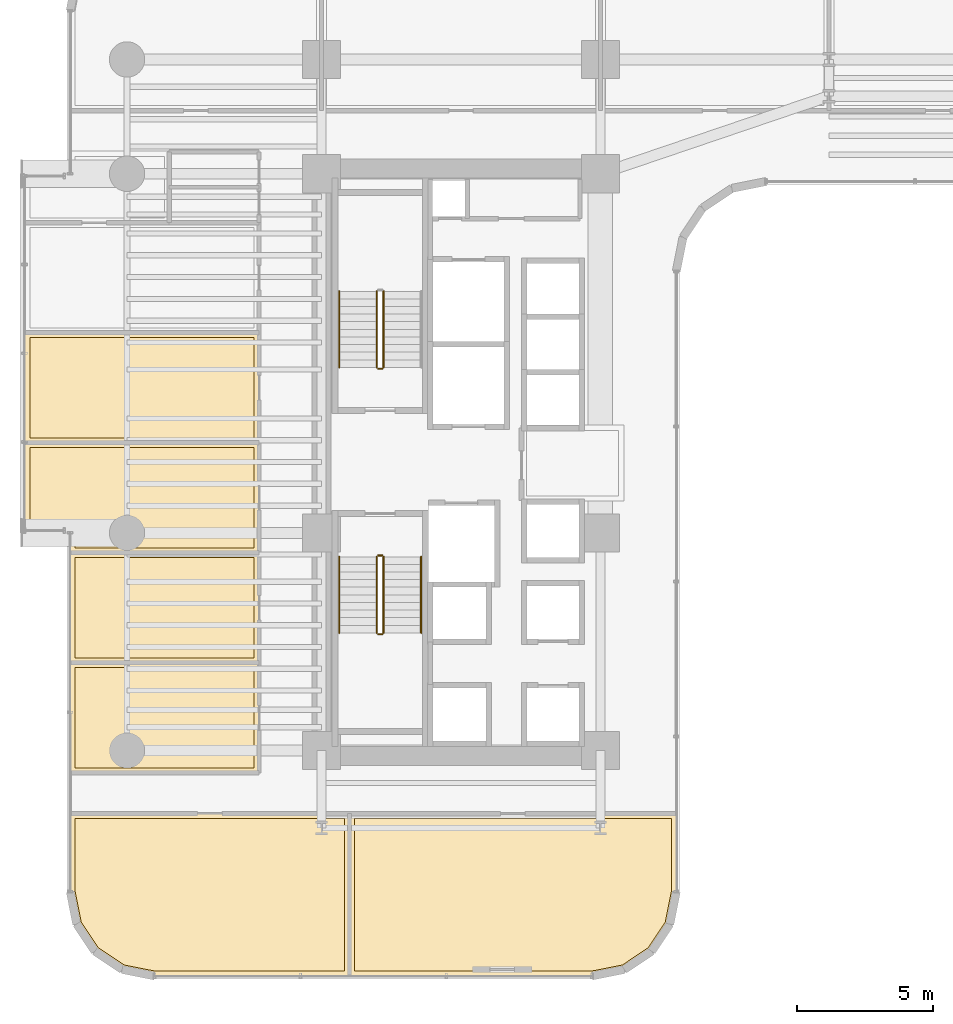
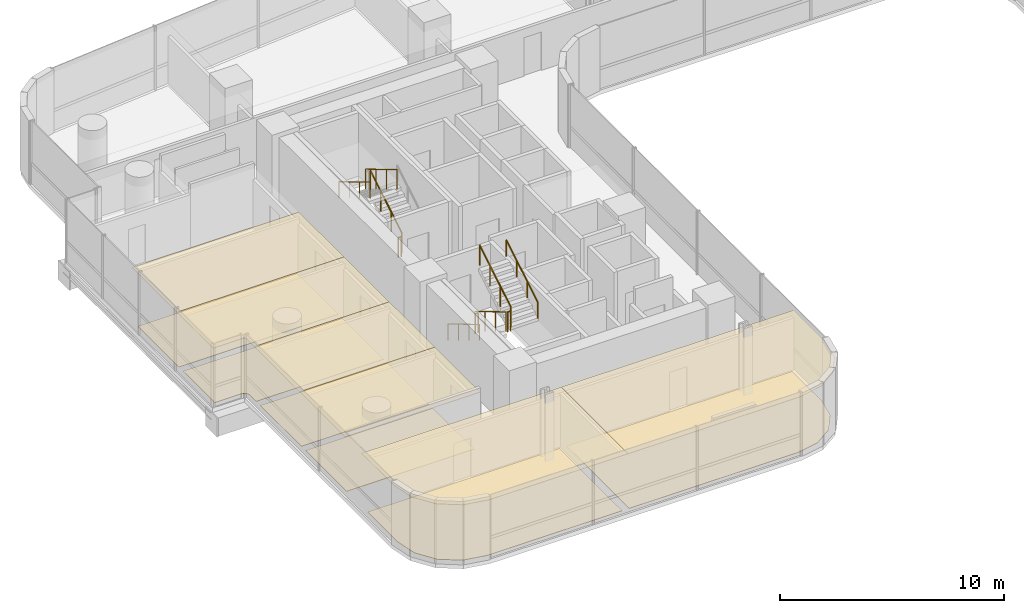
# One storey, part 35 of 38: 12 coverings, 10 railings.
"""IFC4 building model written with IfcOpenShell, lengths in metres."""

from ifc_helpers import new_model, si_unit, direction, frame, origin, origin_2d, place, context, subcontext, project, spatial, polyline, circle, outline, extrude, material, layer, layer_set, type_object, element, save


model = new_model("IFC4")

# Units and contexts
model_context = context("Model", 3, precision=1e-05, world=origin(), true_north=direction((0.0, 1.0)))
body_context = subcontext(model_context, "Body", "Model", "MODEL_VIEW")
ifc_project = project(units=[si_unit("LENGTHUNIT", "METRE"), si_unit("AREAUNIT", "SQUARE_METRE"), si_unit("VOLUMEUNIT", "CUBIC_METRE"), si_unit("PLANEANGLEUNIT", "RADIAN"), si_unit("MASSUNIT", "GRAM", prefix="KILO")], contexts=[model_context])

# Site, building, storey
site_placement = place(None, origin())
site = spatial("IfcSite", under=ifc_project, at=site_placement, CompositionType="ELEMENT")
building_placement = place(site_placement, origin())
building = spatial("IfcBuilding", under=site, at=building_placement, Name="Valdorenza Pilgrim Sanctuary Tower", CompositionType="ELEMENT")
storey_placement = place(building_placement, frame((0.0, 0.0, 37.10009765625)))
storey = spatial("IfcBuildingStorey", under=building, at=storey_placement, Name="L08", CompositionType="ELEMENT", Elevation=37.10009765625)

# Coverings
ifc_material_1 = material(Name="Micro-perforated acoustic mineral ceiling tile", Category="gypsum")
ifc_layer_1 = layer(ifc_material_1, 0.02490234375, Name="Micro-perforated acoustic mineral ceiling tile")
ifc_layer_set_1 = layer_set([ifc_layer_1], Name="Micro-perforated acoustic mineral ceiling tile")
covering_type_1 = type_object("IfcCoveringType", Name="COV-CLG-ACU", PredefinedType="CEILING", material=ifc_layer_set_1)
covering_1_placement = place(storey_placement, frame((0.0, 0.0, 3.159912109375)))
element("IfcCovering", 1, at=covering_1_placement, inside=storey, type_object=covering_type_1, Name="L08 Pilgrim Scholar Office L08-W1 Acoustic Ceiling", PredefinedType="CEILING", context=body_context, shape_type="SweptSolid", body=[
    extrude(outline(polyline([(-24.93505859375, -11.419921875), (-24.93505859375, -11.42138671875), (-24.935302734375, -11.4228515625), (-24.935546875, -11.42431640625), (-24.93603515625, -11.42578125), (-24.936767578125, -11.427001953125), (-24.9375, -11.42822265625), (-24.9384765625, -11.429443359375), (-24.939453125, -11.4306640625), (-24.9404296875, -11.431640625), (-24.941650390625, -11.4326171875), (-24.94287109375, -11.43310546875), (-24.9443359375, -11.433837890625), (-24.945556640625, -11.434326171875), (-24.947021484375, -11.434814453125), (-24.948486328125, -11.434814453125), (-24.949951171875, -11.43505859375), (-31.889892578125, -11.43505859375), (-31.8916015625, -11.434814453125), (-31.892822265625, -11.434814453125), (-31.894287109375, -11.434326171875), (-31.895751953125, -11.433837890625), (-31.897216796875, -11.43310546875), (-31.898193359375, -11.4326171875), (-31.8994140625, -11.431640625), (-31.900634765625, -11.4306640625), (-31.901611328125, -11.429443359375), (-31.902587890625, -11.42822265625), (-31.9033203125, -11.427001953125), (-31.90380859375, -11.42578125), (-31.904296875, -11.42431640625), (-31.90478515625, -11.4228515625), (-31.90478515625, -11.42138671875), (-31.905029296875, -11.419921875), (-31.905029296875, -7.3759765625), (-31.90478515625, -7.37451171875), (-31.90478515625, -7.373046875), (-31.904296875, -7.37158203125), (-31.90380859375, -7.370361328125), (-31.9033203125, -7.368896484375), (-31.902587890625, -7.36767578125), (-31.901611328125, -7.366455078125), (-31.900634765625, -7.365478515625), (-31.8994140625, -7.364501953125), (-31.898193359375, -7.363525390625), (-31.897216796875, -7.36279296875), (-31.895751953125, -7.362060546875), (-31.894287109375, -7.361572265625), (-31.892822265625, -7.361328125), (-31.8916015625, -7.361083984375), (-31.889892578125, -7.361083984375), (-24.949951171875, -7.361083984375), (-24.948486328125, -7.361083984375), (-24.947021484375, -7.361328125), (-24.945556640625, -7.361572265625), (-24.9443359375, -7.362060546875), (-24.94287109375, -7.36279296875), (-24.941650390625, -7.363525390625), (-24.9404296875, -7.364501953125), (-24.939453125, -7.365478515625), (-24.9384765625, -7.366455078125), (-24.9375, -7.36767578125), (-24.936767578125, -7.368896484375), (-24.93603515625, -7.370361328125), (-24.935546875, -7.37158203125), (-24.935302734375, -7.373046875), (-24.93505859375, -7.37451171875), (-24.93505859375, -7.3759765625), (-24.93505859375, -11.419921875)])), origin(), (0.0, 0.0, 1.0), 0.02490234375),
])
covering_2_placement = place(storey_placement, frame((0.0, 0.0, 3.159912109375)))
element("IfcCovering", 2, at=covering_2_placement, inside=storey, type_object=covering_type_1, Name="L08 Pilgrim Scholar Office L08-W2 Acoustic Ceiling", PredefinedType="CEILING", context=body_context, shape_type="SweptSolid", body=[
    extrude(outline(polyline([(-24.93505859375, -7.3740234375), (-24.93505859375, -7.37548828125), (-24.935302734375, -7.376953125), (-24.935546875, -7.37841796875), (-24.93603515625, -7.379638671875), (-24.936767578125, -7.381103515625), (-24.9375, -7.38232421875), (-24.9384765625, -7.383544921875), (-24.939453125, -7.384521484375), (-24.9404296875, -7.385498046875), (-24.941650390625, -7.386474609375), (-24.94287109375, -7.38720703125), (-24.9443359375, -7.387939453125), (-24.945556640625, -7.388427734375), (-24.947021484375, -7.388671875), (-24.948486328125, -7.388916015625), (-24.949951171875, -7.388916015625), (-31.889892578125, -7.388916015625), (-31.8916015625, -7.388916015625), (-31.892822265625, -7.388671875), (-31.894287109375, -7.388427734375), (-31.895751953125, -7.387939453125), (-31.897216796875, -7.38720703125), (-31.898193359375, -7.386474609375), (-31.8994140625, -7.385498046875), (-31.900634765625, -7.384521484375), (-31.901611328125, -7.383544921875), (-31.902587890625, -7.38232421875), (-31.9033203125, -7.381103515625), (-31.90380859375, -7.379638671875), (-31.904296875, -7.37841796875), (-31.90478515625, -7.376953125), (-31.90478515625, -7.37548828125), (-31.905029296875, -7.3740234375), (-31.905029296875, -3.33203125), (-31.90478515625, -3.33056640625), (-31.90478515625, -3.3291015625), (-31.904296875, -3.32763671875), (-31.90380859375, -3.326416015625), (-31.9033203125, -3.324951171875), (-31.902587890625, -3.32373046875), (-31.901611328125, -3.322509765625), (-31.900634765625, -3.3212890625), (-31.8994140625, -3.3203125), (-31.898193359375, -3.319580078125), (-31.897216796875, -3.31884765625), (-31.895751953125, -3.318115234375), (-31.894287109375, -3.317626953125), (-31.892822265625, -3.3173828125), (-31.8916015625, -3.317138671875), (-31.889892578125, -3.31689453125), (-24.949951171875, -3.31689453125), (-24.948486328125, -3.317138671875), (-24.947021484375, -3.3173828125), (-24.945556640625, -3.317626953125), (-24.9443359375, -3.318115234375), (-24.94287109375, -3.31884765625), (-24.941650390625, -3.319580078125), (-24.9404296875, -3.3203125), (-24.939453125, -3.3212890625), (-24.9384765625, -3.322509765625), (-24.9375, -3.32373046875), (-24.936767578125, -3.324951171875), (-24.93603515625, -3.326416015625), (-24.935546875, -3.32763671875), (-24.935302734375, -3.3291015625), (-24.93505859375, -3.33056640625), (-24.93505859375, -3.33203125), (-24.93505859375, -7.3740234375)])), origin(), (0.0, 0.0, 1.0), 0.02490234375),
])
covering_3_placement = place(storey_placement, frame((0.0, 0.0, 3.159912109375)))
element("IfcCovering", 3, at=covering_3_placement, inside=storey, type_object=covering_type_1, Name="L08 Pilgrim Scholar Office L08-W3 Acoustic Ceiling", PredefinedType="CEILING", context=body_context, shape_type="SweptSolid", body=[
    extrude(outline(polyline([(-24.93505859375, -3.330078125), (-24.93505859375, -3.33154296875), (-24.935302734375, -3.3330078125), (-24.935546875, -3.33447265625), (-24.93603515625, -3.335693359375), (-24.936767578125, -3.337158203125), (-24.9375, -3.33837890625), (-24.9384765625, -3.339599609375), (-24.939453125, -3.340576171875), (-24.9404296875, -3.341552734375), (-24.941650390625, -3.342529296875), (-24.94287109375, -3.34326171875), (-24.9443359375, -3.343994140625), (-24.945556640625, -3.344482421875), (-24.947021484375, -3.3447265625), (-24.948486328125, -3.344970703125), (-24.949951171875, -3.344970703125), (-31.889892578125, -3.344970703125), (-31.8916015625, -3.344970703125), (-31.892822265625, -3.3447265625), (-31.894287109375, -3.344482421875), (-31.895751953125, -3.343994140625), (-31.897216796875, -3.34326171875), (-31.898193359375, -3.342529296875), (-31.8994140625, -3.341552734375), (-31.900634765625, -3.340576171875), (-31.901611328125, -3.339599609375), (-31.902587890625, -3.33837890625), (-31.9033203125, -3.337158203125), (-31.90380859375, -3.335693359375), (-31.904296875, -3.33447265625), (-31.90478515625, -3.3330078125), (-31.90478515625, -3.33154296875), (-31.905029296875, -3.330078125), (-31.905029296875, -2.600341796875), (-31.905517578125, -2.5908203125), (-31.90673828125, -2.58154296875), (-31.9091796875, -2.572509765625), (-31.912109375, -2.563720703125), (-31.916259765625, -2.55517578125), (-31.9208984375, -2.547119140625), (-31.926513671875, -2.539794921875), (-31.932861328125, -2.53271484375), (-31.939697265625, -2.526611328125), (-31.947265625, -2.52099609375), (-31.955078125, -2.51611328125), (-31.963623046875, -2.51220703125), (-31.972412109375, -2.509033203125), (-31.9814453125, -2.5068359375), (-31.99072265625, -2.505615234375), (-32.00048828125, -2.5048828125), (-33.5400390625, -2.5048828125), (-33.54150390625, -2.5048828125), (-33.54296875, -2.504638671875), (-33.54443359375, -2.50439453125), (-33.545654296875, -2.50390625), (-33.547119140625, -2.503173828125), (-33.54833984375, -2.50244140625), (-33.549560546875, -2.501708984375), (-33.550537109375, -2.50048828125), (-33.551513671875, -2.49951171875), (-33.552490234375, -2.498291015625), (-33.55322265625, -2.4970703125), (-33.553955078125, -2.49560546875), (-33.554443359375, -2.494384765625), (-33.5546875, -2.492919921875), (-33.554931640625, -2.491455078125), (-33.554931640625, -2.489990234375), (-33.554931640625, 0.7119140625), (-33.554931640625, 0.71337890625), (-33.5546875, 0.71484375), (-33.554443359375, 0.71630859375), (-33.553955078125, 0.7177734375), (-33.55322265625, 0.718994140625), (-33.552490234375, 0.72021484375), (-33.551513671875, 0.721435546875), (-33.550537109375, 0.72265625), (-33.549560546875, 0.7236328125), (-33.54833984375, 0.724609375), (-33.547119140625, 0.72509765625), (-33.545654296875, 0.725830078125), (-33.54443359375, 0.726318359375), (-33.54296875, 0.726806640625), (-33.54150390625, 0.726806640625), (-33.5400390625, 0.72705078125), (-24.949951171875, 0.72705078125), (-24.948486328125, 0.726806640625), (-24.947021484375, 0.726806640625), (-24.945556640625, 0.726318359375), (-24.9443359375, 0.725830078125), (-24.94287109375, 0.72509765625), (-24.941650390625, 0.724609375), (-24.9404296875, 0.7236328125), (-24.939453125, 0.72265625), (-24.9384765625, 0.721435546875), (-24.9375, 0.72021484375), (-24.936767578125, 0.718994140625), (-24.93603515625, 0.7177734375), (-24.935546875, 0.71630859375), (-24.935302734375, 0.71484375), (-24.93505859375, 0.71337890625), (-24.93505859375, 0.7119140625), (-24.93505859375, -3.330078125)])), origin(), (0.0, 0.0, 1.0), 0.02490234375),
])
covering_4_placement = place(storey_placement, frame((0.0, 0.0, 3.159912109375)))
element("IfcCovering", 4, at=covering_4_placement, inside=storey, type_object=covering_type_1, Name="L08 Pilgrim Scholar Office L08-W4 Acoustic Ceiling", PredefinedType="CEILING", context=body_context, shape_type="SweptSolid", body=[
    extrude(outline(polyline([(-24.93505859375, 0.714111328125), (-24.93505859375, 0.71240234375), (-24.935302734375, 0.711181640625), (-24.935546875, 0.709716796875), (-24.93603515625, 0.708251953125), (-24.936767578125, 0.706787109375), (-24.9375, 0.705810546875), (-24.9384765625, 0.70458984375), (-24.939453125, 0.703369140625), (-24.9404296875, 0.702392578125), (-24.941650390625, 0.701416015625), (-24.94287109375, 0.70068359375), (-24.9443359375, 0.7001953125), (-24.945556640625, 0.69970703125), (-24.947021484375, 0.69921875), (-24.948486328125, 0.69921875), (-24.949951171875, 0.698974609375), (-33.5400390625, 0.698974609375), (-33.54150390625, 0.69921875), (-33.54296875, 0.69921875), (-33.54443359375, 0.69970703125), (-33.545654296875, 0.7001953125), (-33.547119140625, 0.70068359375), (-33.54833984375, 0.701416015625), (-33.549560546875, 0.702392578125), (-33.550537109375, 0.703369140625), (-33.551513671875, 0.70458984375), (-33.552490234375, 0.705810546875), (-33.55322265625, 0.706787109375), (-33.553955078125, 0.708251953125), (-33.554443359375, 0.709716796875), (-33.5546875, 0.711181640625), (-33.554931640625, 0.71240234375), (-33.554931640625, 0.714111328125), (-33.554931640625, 4.756103515625), (-33.554931640625, 4.757568359375), (-33.5546875, 4.7587890625), (-33.554443359375, 4.760498046875), (-33.553955078125, 4.76171875), (-33.55322265625, 4.76318359375), (-33.552490234375, 4.764404296875), (-33.551513671875, 4.765380859375), (-33.550537109375, 4.7666015625), (-33.549560546875, 4.767578125), (-33.54833984375, 4.7685546875), (-33.547119140625, 4.769287109375), (-33.545654296875, 4.77001953125), (-33.54443359375, 4.7705078125), (-33.54296875, 4.770751953125), (-33.54150390625, 4.77099609375), (-33.5400390625, 4.77099609375), (-24.949951171875, 4.77099609375), (-24.948486328125, 4.77099609375), (-24.947021484375, 4.770751953125), (-24.945556640625, 4.7705078125), (-24.9443359375, 4.77001953125), (-24.94287109375, 4.769287109375), (-24.941650390625, 4.7685546875), (-24.9404296875, 4.767578125), (-24.939453125, 4.7666015625), (-24.9384765625, 4.765380859375), (-24.9375, 4.764404296875), (-24.936767578125, 4.76318359375), (-24.93603515625, 4.76171875), (-24.935546875, 4.760498046875), (-24.935302734375, 4.7587890625), (-24.93505859375, 4.757568359375), (-24.93505859375, 4.756103515625), (-24.93505859375, 0.714111328125)])), origin(), (0.0, 0.0, 1.0), 0.02490234375),
])
covering_5_placement = place(storey_placement, frame((0.0, 0.0, 3.159912109375)))
element("IfcCovering", 5, at=covering_5_placement, inside=storey, type_object=covering_type_1, Name="L08 Pilgrim Scholar Office L08-S1 Acoustic Ceiling", PredefinedType="CEILING", context=body_context, shape_type="SweptSolid", body=[
    extrude(outline(polyline([(-21.60498046875, -18.889892578125), (-21.60498046875, -18.8916015625), (-21.605224609375, -18.892822265625), (-21.605712890625, -18.894287109375), (-21.606201171875, -18.895751953125), (-21.606689453125, -18.897216796875), (-21.607421875, -18.898193359375), (-21.6083984375, -18.8994140625), (-21.609375, -18.900634765625), (-21.610595703125, -18.901611328125), (-21.61181640625, -18.902587890625), (-21.61279296875, -18.9033203125), (-21.6142578125, -18.90380859375), (-21.615478515625, -18.904296875), (-21.6171875, -18.90478515625), (-21.618408203125, -18.90478515625), (-21.6201171875, -18.905029296875), (-28.789306640625, -18.905029296875), (-28.79052734375, -18.90478515625), (-28.7919921875, -18.90478515625), (-29.984619140625, -18.66748046875), (-29.986083984375, -18.6669921875), (-29.9873046875, -18.66650390625), (-29.98876953125, -18.666015625), (-29.989990234375, -18.665283203125), (-30.99169921875, -17.995849609375), (-30.992919921875, -17.9951171875), (-30.993896484375, -17.993896484375), (-30.9951171875, -17.992919921875), (-30.995849609375, -17.99169921875), (-31.665283203125, -16.989990234375), (-31.666015625, -16.98876953125), (-31.66650390625, -16.9873046875), (-31.6669921875, -16.986083984375), (-31.66748046875, -16.984619140625), (-31.90478515625, -15.7919921875), (-31.90478515625, -15.79052734375), (-31.905029296875, -15.789306640625), (-31.905029296875, -12.919921875), (-31.90478515625, -12.91845703125), (-31.90478515625, -12.9169921875), (-31.904296875, -12.91552734375), (-31.90380859375, -12.914306640625), (-31.9033203125, -12.912841796875), (-31.902587890625, -12.91162109375), (-31.901611328125, -12.910400390625), (-31.900634765625, -12.909423828125), (-31.8994140625, -12.908447265625), (-31.898193359375, -12.907470703125), (-31.897216796875, -12.90673828125), (-31.895751953125, -12.906005859375), (-31.894287109375, -12.905517578125), (-31.892822265625, -12.9052734375), (-31.8916015625, -12.905029296875), (-31.889892578125, -12.905029296875), (-21.6201171875, -12.905029296875), (-21.618408203125, -12.905029296875), (-21.6171875, -12.9052734375), (-21.615478515625, -12.905517578125), (-21.6142578125, -12.906005859375), (-21.61279296875, -12.90673828125), (-21.61181640625, -12.907470703125), (-21.610595703125, -12.908447265625), (-21.609375, -12.909423828125), (-21.6083984375, -12.910400390625), (-21.607421875, -12.91162109375), (-21.606689453125, -12.912841796875), (-21.606201171875, -12.914306640625), (-21.605712890625, -12.91552734375), (-21.605224609375, -12.9169921875), (-21.60498046875, -12.91845703125), (-21.60498046875, -12.919921875), (-21.60498046875, -18.889892578125)])), origin(), (0.0, 0.0, 1.0), 0.02490234375),
])
covering_6_placement = place(storey_placement, frame((0.0, 0.0, 3.159912109375)))
element("IfcCovering", 6, at=covering_6_placement, inside=storey, type_object=covering_type_1, Name="L08 Pilgrim Scholar Office L08-S2 Acoustic Ceiling", PredefinedType="CEILING", context=body_context, shape_type="SweptSolid", body=[
    extrude(outline(polyline([(-9.610107421875, -12.905029296875), (-9.6083984375, -12.905029296875), (-9.607177734375, -12.9052734375), (-9.605712890625, -12.905517578125), (-9.604248046875, -12.906005859375), (-9.602783203125, -12.90673828125), (-9.601806640625, -12.907470703125), (-9.6005859375, -12.908447265625), (-9.599365234375, -12.909423828125), (-9.598388671875, -12.910400390625), (-9.597412109375, -12.91162109375), (-9.5966796875, -12.912841796875), (-9.59619140625, -12.914306640625), (-9.595703125, -12.91552734375), (-9.59521484375, -12.9169921875), (-9.59521484375, -12.91845703125), (-9.594970703125, -12.919921875), (-9.594970703125, -15.789306640625), (-9.59521484375, -15.79052734375), (-9.59521484375, -15.7919921875), (-9.83251953125, -16.984619140625), (-9.8330078125, -16.986083984375), (-9.83349609375, -16.9873046875), (-9.833984375, -16.98876953125), (-9.834716796875, -16.989990234375), (-10.504150390625, -17.99169921875), (-10.5048828125, -17.992919921875), (-10.506103515625, -17.993896484375), (-10.507080078125, -17.9951171875), (-10.50830078125, -17.995849609375), (-11.510009765625, -18.665283203125), (-11.51123046875, -18.666015625), (-11.5126953125, -18.66650390625), (-11.513916015625, -18.6669921875), (-11.515380859375, -18.66748046875), (-12.7080078125, -18.90478515625), (-12.70947265625, -18.90478515625), (-12.710693359375, -18.905029296875), (-21.617919921875, -18.905029296875), (-21.619384765625, -18.90478515625), (-21.620849609375, -18.90478515625), (-21.622314453125, -18.904296875), (-21.623779296875, -18.90380859375), (-21.625, -18.9033203125), (-21.626220703125, -18.902587890625), (-21.62744140625, -18.901611328125), (-21.628662109375, -18.900634765625), (-21.629638671875, -18.8994140625), (-21.630615234375, -18.898193359375), (-21.631103515625, -18.897216796875), (-21.6318359375, -18.895751953125), (-21.63232421875, -18.894287109375), (-21.6328125, -18.892822265625), (-21.6328125, -18.8916015625), (-21.633056640625, -18.889892578125), (-21.633056640625, -12.919921875), (-21.6328125, -12.91845703125), (-21.6328125, -12.9169921875), (-21.63232421875, -12.91552734375), (-21.6318359375, -12.914306640625), (-21.631103515625, -12.912841796875), (-21.630615234375, -12.91162109375), (-21.629638671875, -12.910400390625), (-21.628662109375, -12.909423828125), (-21.62744140625, -12.908447265625), (-21.626220703125, -12.907470703125), (-21.625, -12.90673828125), (-21.623779296875, -12.906005859375), (-21.622314453125, -12.905517578125), (-21.620849609375, -12.9052734375), (-21.619384765625, -12.905029296875), (-21.617919921875, -12.905029296875), (-9.610107421875, -12.905029296875)])), origin(), (0.0, 0.0, 1.0), 0.02490234375),
])
ifc_material_2 = material(Name="Honed travertine stone flooring", Category="masonry")
ifc_layer_2 = layer(ifc_material_2, 0.030029296875, Name="Honed travertine stone flooring")
ifc_layer_set_2 = layer_set([ifc_layer_2], Name="Honed travertine stone flooring")
covering_type_2 = type_object("IfcCoveringType", Name="COV-FLR-TRV", PredefinedType="FLOORING", material=ifc_layer_set_2)
covering_7_placement = place(storey_placement, origin())
element("IfcCovering", 7, at=covering_7_placement, inside=storey, type_object=covering_type_2, Name="L08 Pilgrim Scholar Office L08-W1 Flooring", PredefinedType="FLOORING", context=body_context, shape_type="SweptSolid", body=[
    extrude(outline(polyline([(-25.1298828125, -11.239990234375), (-31.7099609375, -11.239990234375), (-31.7099609375, -7.555908203125), (-25.1298828125, -7.555908203125), (-25.1298828125, -11.239990234375)])), origin(), (0.0, 0.0, 1.0), 0.02490234375),
])
covering_8_placement = place(storey_placement, origin())
element("IfcCovering", 8, at=covering_8_placement, inside=storey, type_object=covering_type_2, Name="L08 Pilgrim Scholar Office L08-W2 Flooring", PredefinedType="FLOORING", context=body_context, shape_type="SweptSolid", body=[
    extrude(outline(polyline([(-25.1298828125, -7.194091796875), (-31.7099609375, -7.194091796875), (-31.7099609375, -3.511962890625), (-25.1298828125, -3.511962890625), (-25.1298828125, -7.194091796875)])), origin(), (0.0, 0.0, 1.0), 0.02490234375),
])
covering_9_placement = place(storey_placement, origin())
element("IfcCovering", 9, at=covering_9_placement, inside=storey, type_object=covering_type_2, Name="L08 Pilgrim Scholar Office L08-W3 Flooring", PredefinedType="FLOORING", context=body_context, shape_type="SweptSolid", body=[
    extrude(outline(polyline([(-25.1298828125, -3.14990234375), (-31.7099609375, -3.14990234375), (-31.7099609375, -2.60009765625), (-31.710205078125, -2.59130859375), (-31.710693359375, -2.580322265625), (-31.71240234375, -2.562744140625), (-31.714111328125, -2.552001953125), (-31.717529296875, -2.534912109375), (-31.72021484375, -2.5244140625), (-31.725341796875, -2.50732421875), (-31.72900390625, -2.497314453125), (-31.735595703125, -2.48095703125), (-31.740234375, -2.47119140625), (-31.74853515625, -2.45556640625), (-31.754150390625, -2.4462890625), (-31.763916015625, -2.431640625), (-31.7705078125, -2.423095703125), (-31.781494140625, -2.4091796875), (-31.788818359375, -2.4013671875), (-31.80126953125, -2.388916015625), (-31.809326171875, -2.381591796875), (-31.822998046875, -2.370361328125), (-31.831787109375, -2.364013671875), (-31.84619140625, -2.35400390625), (-31.855712890625, -2.3486328125), (-31.87109375, -2.34033203125), (-31.880859375, -2.335693359375), (-31.897216796875, -2.328857421875), (-31.907470703125, -2.3251953125), (-31.92431640625, -2.320068359375), (-31.934814453125, -2.3173828125), (-31.9521484375, -2.314208984375), (-31.962890625, -2.3125), (-31.98046875, -2.310791015625), (-31.9912109375, -2.310302734375), (-32.0, -2.31005859375), (-33.360107421875, -2.31005859375), (-33.360107421875, 0.531982421875), (-25.1298828125, 0.531982421875), (-25.1298828125, -3.14990234375)])), origin(), (0.0, 0.0, 1.0), 0.02490234375),
])
covering_10_placement = place(storey_placement, origin())
element("IfcCovering", 10, at=covering_10_placement, inside=storey, type_object=covering_type_2, Name="L08 Pilgrim Scholar Office L08-W4 Flooring", PredefinedType="FLOORING", context=body_context, shape_type="SweptSolid", body=[
    extrude(outline(polyline([(-25.1298828125, 0.89404296875), (-33.360107421875, 0.89404296875), (-33.360107421875, 4.575927734375), (-25.1298828125, 4.575927734375), (-25.1298828125, 0.89404296875)])), origin(), (0.0, 0.0, 1.0), 0.02490234375),
])
covering_11_placement = place(storey_placement, origin())
element("IfcCovering", 11, at=covering_11_placement, inside=storey, type_object=covering_type_2, Name="L08 Pilgrim Scholar Office L08-S1 Flooring", PredefinedType="FLOORING", context=body_context, shape_type="SweptSolid", body=[
    extrude(outline(polyline([(-21.800048828125, -18.7099609375), (-28.771484375, -18.7099609375), (-29.911376953125, -18.483154296875), (-30.853515625, -17.853515625), (-31.483154296875, -16.911376953125), (-31.7099609375, -15.771484375), (-31.7099609375, -13.10009765625), (-21.800048828125, -13.10009765625), (-21.800048828125, -18.7099609375)])), origin(), (0.0, 0.0, 1.0), 0.02490234375),
])
covering_12_placement = place(storey_placement, origin())
element("IfcCovering", 12, at=covering_12_placement, inside=storey, type_object=covering_type_2, Name="L08 Pilgrim Scholar Office L08-S2 Flooring", PredefinedType="FLOORING", context=body_context, shape_type="SweptSolid", body=[
    extrude(outline(polyline([(-9.7900390625, -13.10009765625), (-9.7900390625, -15.771484375), (-10.016845703125, -16.911376953125), (-10.646484375, -17.853515625), (-11.588623046875, -18.483154296875), (-12.728515625, -18.7099609375), (-21.43798828125, -18.7099609375), (-21.43798828125, -13.10009765625), (-9.7900390625, -13.10009765625)])), origin(), (0.0, 0.0, 1.0), 0.02490234375),
])

# Railings
ifc_material_3 = material(Name="Stainless steel Grade 316", Category="steel")
railing_type_1 = type_object("IfcRailingType", Name="RLG-GRD-1120", PredefinedType="GUARDRAIL", material=ifc_material_3)
railing_1_placement = place(storey_placement, frame((-20.3701171875, 3.47998046875, 0.16796875)))
element("IfcRailing", 13, at=railing_1_placement, inside=storey, type_object=railing_type_1, Name="L08 ST-A1 stair guard 1", PredefinedType="GUARDRAIL", context=body_context, shape_type="SweptSolid", body=[
    extrude(circle(Radius=0.02392578125, at=origin_2d()), frame((0.0, 0.0, 1.076171875), z_axis=(0.0, 0.857242210791, 0.514913383045), x_axis=(-1.0, 0.0, 0.0)), (0.0, 0.0, 1.0), 3.266357421875),
    extrude(circle(Radius=0.02099609375, at=origin_2d()), origin(), (0.0, 0.0, 1.0), 1.052001953125),
    extrude(circle(Radius=0.02099609375, at=origin_2d()), frame((0.0, 0.933349609375, 0.560546875)), (0.0, 0.0, 1.0), 1.052001953125),
    extrude(circle(Radius=0.02099609375, at=origin_2d()), frame((0.0, 1.86669921875, 1.121337890625)), (0.0, 0.0, 1.0), 1.052001953125),
    extrude(circle(Radius=0.02099609375, at=origin_2d()), frame((0.0, 2.800048828125, 1.681884765625)), (0.0, 0.0, 1.0), 1.052001953125),
])
railing_2_placement = place(storey_placement, frame((-20.6201171875, 6.280029296875, 2.01806640625)))
element("IfcRailing", 14, at=railing_2_placement, inside=storey, type_object=railing_type_1, Name="L08 ST-A1 stair guard 3", PredefinedType="GUARDRAIL", context=body_context, shape_type="SweptSolid", body=[
    extrude(circle(Radius=0.02392578125, at=origin_2d()), frame((0.0, 0.0, 1.076171875), z_axis=(0.0, -0.857242210791, 0.514913383045), x_axis=(1.0, 0.0, 0.0)), (0.0, 0.0, 1.0), 3.266357421875),
    extrude(circle(Radius=0.02099609375, at=origin_2d()), origin(), (0.0, 0.0, 1.0), 1.052001953125),
    extrude(circle(Radius=0.02099609375, at=origin_2d()), frame((0.0, -0.933349609375, 0.560546875)), (0.0, 0.0, 1.0), 1.052001953125),
    extrude(circle(Radius=0.02099609375, at=origin_2d()), frame((0.0, -1.86669921875, 1.121337890625)), (0.0, 0.0, 1.0), 1.052001953125),
    extrude(circle(Radius=0.02099609375, at=origin_2d()), frame((0.0, -2.800048828125, 1.681884765625)), (0.0, 0.0, 1.0), 1.052001953125),
])
railing_3_placement = place(storey_placement, frame((-20.419921875, 3.429931640625, 0.0)))
element("IfcRailing", 15, at=railing_3_placement, inside=storey, type_object=railing_type_1, Name="L08 ST-A1 stair guard 4", PredefinedType="GUARDRAIL", context=body_context, shape_type="SweptSolid", body=[
    extrude(circle(Radius=0.02392578125, at=origin_2d()), frame((0.0, 0.0, 1.076171875), z_axis=(-1.0, 0.0, 0.0), x_axis=(0.0, -1.0, 0.0)), (0.0, 0.0, 1.0), 0.150146484375),
    extrude(circle(Radius=0.02099609375, at=origin_2d()), origin(), (0.0, 0.0, 1.0), 1.052001953125),
    extrude(circle(Radius=0.02099609375, at=origin_2d()), frame((-0.150146484375, 0.0, 0.0)), (0.0, 0.0, 1.0), 1.052001953125),
])
railing_4_placement = place(storey_placement, frame((-20.6201171875, -3.47998046875, 0.16796875)))
element("IfcRailing", 16, at=railing_4_placement, inside=storey, type_object=railing_type_1, Name="L08 ST-A2 stair guard 1", PredefinedType="GUARDRAIL", context=body_context, shape_type="SweptSolid", body=[
    extrude(circle(Radius=0.02392578125, at=origin_2d()), frame((0.0, 0.0, 1.076171875), z_axis=(0.0, -0.857242210791, 0.514913383045), x_axis=(1.0, 0.0, 0.0)), (0.0, 0.0, 1.0), 3.266357421875),
    extrude(circle(Radius=0.02099609375, at=origin_2d()), origin(), (0.0, 0.0, 1.0), 1.052001953125),
    extrude(circle(Radius=0.02099609375, at=origin_2d()), frame((0.0, -0.933349609375, 0.560546875)), (0.0, 0.0, 1.0), 1.052001953125),
    extrude(circle(Radius=0.02099609375, at=origin_2d()), frame((0.0, -1.86669921875, 1.121337890625)), (0.0, 0.0, 1.0), 1.052001953125),
    extrude(circle(Radius=0.02099609375, at=origin_2d()), frame((0.0, -2.800048828125, 1.681884765625)), (0.0, 0.0, 1.0), 1.052001953125),
])
railing_5_placement = place(storey_placement, frame((-20.570068359375, -6.330078125, 1.849853515625)))
element("IfcRailing", 17, at=railing_5_placement, inside=storey, type_object=railing_type_1, Name="L08 ST-A2 stair guard 2", PredefinedType="GUARDRAIL", context=body_context, shape_type="SweptSolid", body=[
    extrude(circle(Radius=0.02392578125, at=origin_2d()), frame((0.0, 0.0, 1.076171875), z_axis=(1.0, 0.0, 0.0), x_axis=(0.0, 1.0, 0.0)), (0.0, 0.0, 1.0), 0.150146484375),
    extrude(circle(Radius=0.02099609375, at=origin_2d()), origin(), (0.0, 0.0, 1.0), 1.052001953125),
    extrude(circle(Radius=0.02099609375, at=origin_2d()), frame((0.150146484375, 0.0, 0.0)), (0.0, 0.0, 1.0), 1.052001953125),
])
railing_6_placement = place(storey_placement, frame((-20.3701171875, -6.280029296875, 2.01806640625)))
element("IfcRailing", 18, at=railing_6_placement, inside=storey, type_object=railing_type_1, Name="L08 ST-A2 stair guard 3", PredefinedType="GUARDRAIL", context=body_context, shape_type="SweptSolid", body=[
    extrude(circle(Radius=0.02392578125, at=origin_2d()), frame((0.0, 0.0, 1.076171875), z_axis=(0.0, 0.857242210791, 0.514913383045), x_axis=(-1.0, 0.0, 0.0)), (0.0, 0.0, 1.0), 3.266357421875),
    extrude(circle(Radius=0.02099609375, at=origin_2d()), origin(), (0.0, 0.0, 1.0), 1.052001953125),
    extrude(circle(Radius=0.02099609375, at=origin_2d()), frame((0.0, 0.933349609375, 0.560546875)), (0.0, 0.0, 1.0), 1.052001953125),
    extrude(circle(Radius=0.02099609375, at=origin_2d()), frame((0.0, 1.86669921875, 1.121337890625)), (0.0, 0.0, 1.0), 1.052001953125),
    extrude(circle(Radius=0.02099609375, at=origin_2d()), frame((0.0, 2.800048828125, 1.681884765625)), (0.0, 0.0, 1.0), 1.052001953125),
])
railing_7_placement = place(storey_placement, frame((-20.570068359375, -3.429931640625, 0.0)))
element("IfcRailing", 19, at=railing_7_placement, inside=storey, type_object=railing_type_1, Name="L08 ST-A2 stair guard 4", PredefinedType="GUARDRAIL", context=body_context, shape_type="SweptSolid", body=[
    extrude(circle(Radius=0.02392578125, at=origin_2d()), frame((0.0, 0.0, 1.076171875), z_axis=(1.0, 0.0, 0.0), x_axis=(0.0, 1.0, 0.0)), (0.0, 0.0, 1.0), 0.150146484375),
    extrude(circle(Radius=0.02099609375, at=origin_2d()), origin(), (0.0, 0.0, 1.0), 1.052001953125),
    extrude(circle(Radius=0.02099609375, at=origin_2d()), frame((0.150146484375, 0.0, 0.0)), (0.0, 0.0, 1.0), 1.052001953125),
])
ifc_material_4 = material(Name="Brushed stainless steel Grade 316", Category="steel")
railing_type_2 = type_object("IfcRailingType", Name="RLG-HND-920", PredefinedType="HANDRAIL", material=ifc_material_4)
for number, where, name in (
    (20, (-22.0, 6.280029296875, 2.01806640625), "L08 ST-A1 stair handrail 2"),
    (21, (-22.0, -3.47998046875, 0.16796875), "L08 ST-A2 stair handrail 1"),
):
    element("IfcRailing", number, at=place(storey_placement, frame(where)), inside=storey, type_object=railing_type_2, Name=name, PredefinedType="HANDRAIL", context=body_context, shape_type="SweptSolid", body=[
        extrude(circle(Radius=0.02392578125, at=origin_2d()), frame((0.0, 0.0, 0.8759765625), z_axis=(0.0, -0.857242210791, 0.514913383045), x_axis=(1.0, 0.0, 0.0)), (0.0, 0.0, 1.0), 3.266357421875),
        extrude(circle(Radius=0.02099609375, at=origin_2d()), origin(), (0.0, 0.0, 1.0), 0.851806640625),
        extrude(circle(Radius=0.02099609375, at=origin_2d()), frame((0.0, -0.933349609375, 0.560546875)), (0.0, 0.0, 1.0), 0.851806640625),
        extrude(circle(Radius=0.02099609375, at=origin_2d()), frame((0.0, -1.86669921875, 1.121337890625)), (0.0, 0.0, 1.0), 0.851806640625),
        extrude(circle(Radius=0.02099609375, at=origin_2d()), frame((0.0, -2.800048828125, 1.681884765625)), (0.0, 0.0, 1.0), 0.851806640625),
    ])
railing_8_placement = place(storey_placement, frame((-18.989990234375, -6.280029296875, 2.01806640625)))
element("IfcRailing", 22, at=railing_8_placement, inside=storey, type_object=railing_type_2, Name="L08 ST-A2 stair handrail 2", PredefinedType="HANDRAIL", context=body_context, shape_type="SweptSolid", body=[
    extrude(circle(Radius=0.02392578125, at=origin_2d()), frame((0.0, 0.0, 0.8759765625), z_axis=(0.0, 0.857242210791, 0.514913383045), x_axis=(-1.0, 0.0, 0.0)), (0.0, 0.0, 1.0), 3.266357421875),
    extrude(circle(Radius=0.02099609375, at=origin_2d()), origin(), (0.0, 0.0, 1.0), 0.851806640625),
    extrude(circle(Radius=0.02099609375, at=origin_2d()), frame((0.0, 0.933349609375, 0.560546875)), (0.0, 0.0, 1.0), 0.851806640625),
    extrude(circle(Radius=0.02099609375, at=origin_2d()), frame((0.0, 1.86669921875, 1.121337890625)), (0.0, 0.0, 1.0), 0.851806640625),
    extrude(circle(Radius=0.02099609375, at=origin_2d()), frame((0.0, 2.800048828125, 1.681884765625)), (0.0, 0.0, 1.0), 0.851806640625),
])

save(model, "model.ifc")
